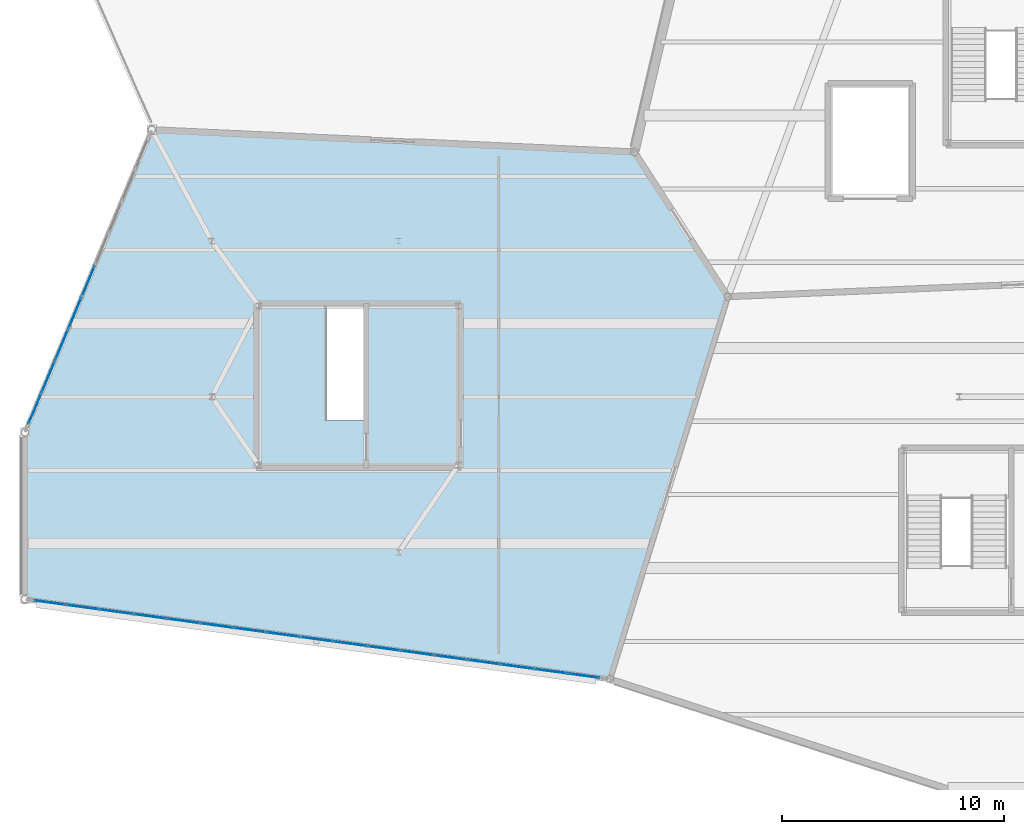
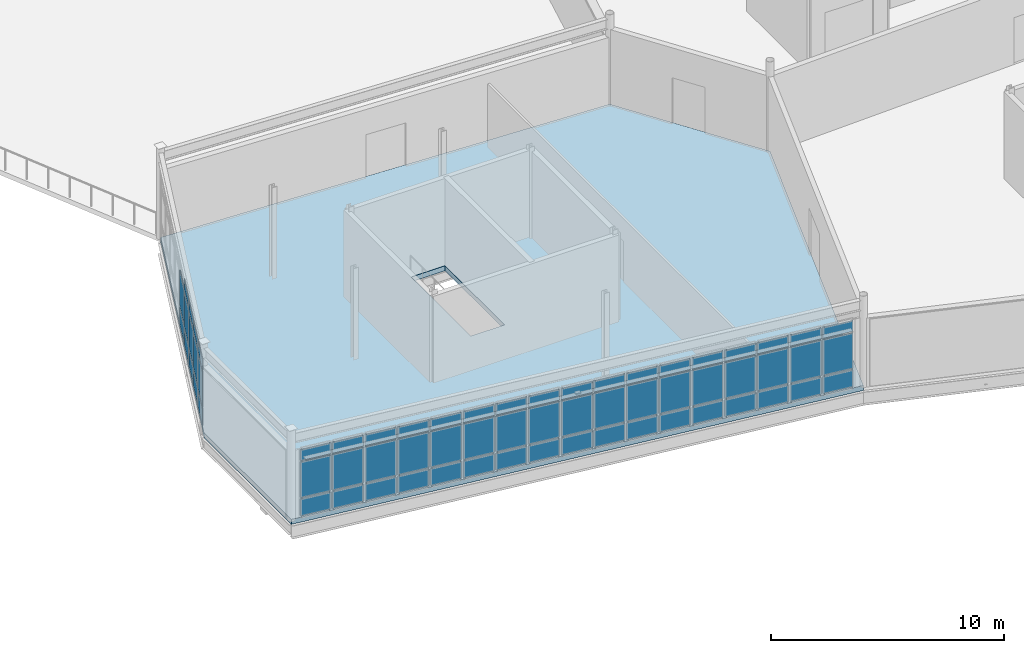
# One storey, part 76 of 114: 65 plates, 1 slab, 2 elements without a shape of their own.
"""IFC4 building model written with IfcOpenShell, lengths in metres."""

import ifcopenshell
import ifcopenshell.guid

model = None  # the IFC model being written
_history = None  # IfcOwnerHistory: only IFC2X3 demands one
_inside = {}  # id of a spatial element -> (the spatial element, [elements in it])
_under = {}  # id of a project, library or spatial element -> (it, [spatial elements below it])
_declared = {}  # id of a project -> (the project, [libraries it declares])
_typed = {}  # id of a type object -> (the type object, [elements of that type])
_made_of = {}  # id of a material, layer set ... -> (it, [elements and type objects made of it])


def new_model(schema):
    """Start an empty IFC model of exactly this schema.

    Asked for "IFC4X3", IfcOpenShell would pick the latest addendum, in which some entities
    have other attributes; the version numbers below select the first issue.
    IFC2X3 requires an IfcOwnerHistory on every rooted entity: one is made here for all.
    """
    global model, _history
    if schema == "IFC4X3":
        model = ifcopenshell.file(schema_version=(4, 3, 0, 0))
    else:
        model = ifcopenshell.file(schema=schema)
    _inside.clear()
    _under.clear()
    _declared.clear()
    _typed.clear()
    _made_of.clear()
    _history = None
    if model.schema == "IFC2X3":
        org = make("IfcOrganization", Name="unknown")
        user = make(
            "IfcPersonAndOrganization",
            ThePerson=make("IfcPerson", FamilyName="unknown"),
            TheOrganization=org,
        )
        app = make(
            "IfcApplication",
            ApplicationDeveloper=org,
            Version="unknown",
            ApplicationFullName="unknown",
            ApplicationIdentifier="unknown",
        )
        _history = make(
            "IfcOwnerHistory",
            OwningUser=user,
            OwningApplication=app,
            ChangeAction="ADDED",
            CreationDate=0,
        )
    return model


def make(cls, **values):
    """One entity of the class cls with the attributes given. An attribute that is None is left unset."""
    return model.create_entity(
        cls, **{name: value for name, value in values.items() if value is not None}
    )


def rooted(cls, **values):
    """An entity with a GlobalId (a new one), such as an element, a storey or a relation."""
    return make(cls, GlobalId=ifcopenshell.guid.new(), OwnerHistory=_history, **values)


def si_unit(unit_type, name, prefix=None):
    """IfcSIUnit, for example si_unit("LENGTHUNIT", "METRE", prefix="MILLI")."""
    return make("IfcSIUnit", UnitType=unit_type, Prefix=prefix, Name=name)


def assignment(units):
    """IfcUnitAssignment: the units of a project."""
    return None if units is None else make("IfcUnitAssignment", Units=units)


def point(xyz):
    """IfcCartesianPoint."""
    return None if xyz is None else make("IfcCartesianPoint", Coordinates=xyz)


def direction(xyz):
    """IfcDirection."""
    return None if xyz is None else make("IfcDirection", DirectionRatios=xyz)


def frame(location, z_axis=None, x_axis=None):
    """IfcAxis2Placement3D, a coordinate frame: its origin and axes. An axis left out is left unset."""
    return make(
        "IfcAxis2Placement3D",
        Location=point(location),
        Axis=direction(z_axis),
        RefDirection=direction(x_axis),
    )


def frame_2d(location, x_axis=None):
    """IfcAxis2Placement2D, a coordinate frame in the plane: its origin and x axis."""
    return make(
        "IfcAxis2Placement2D", Location=point(location), RefDirection=direction(x_axis)
    )


def origin():
    """The frame at (0, 0, 0) with its axes left unset."""
    return frame((0.0, 0.0, 0.0))


def origin_2d():
    """The frame at (0, 0) in the plane with its x axis left unset."""
    return frame_2d((0.0, 0.0))


def place(relative_to, where):
    """IfcLocalPlacement: puts the frame where relative to a parent placement (None: the world)."""
    return make(
        "IfcLocalPlacement", PlacementRelTo=relative_to, RelativePlacement=where
    )


def context(
    kind, dimensions, precision=None, world=None, true_north=None, identifier=None
):
    """IfcGeometricRepresentationContext, for example the 3D "Model" context."""
    return make(
        "IfcGeometricRepresentationContext",
        ContextIdentifier=identifier,
        ContextType=kind,
        CoordinateSpaceDimension=dimensions,
        Precision=precision,
        WorldCoordinateSystem=world,
        TrueNorth=true_north,
    )


def subcontext(parent, identifier, kind, view, scale=None):
    """IfcGeometricRepresentationSubContext, for example "Body" below "Model"."""
    return make(
        "IfcGeometricRepresentationSubContext",
        ContextIdentifier=identifier,
        ContextType=kind,
        ParentContext=parent,
        TargetScale=scale,
        TargetView=view,
    )


def project(units=None, contexts=None):
    """IfcProject with its units and contexts."""
    return rooted(
        "IfcProject",
        Name="project",
        RepresentationContexts=contexts,
        UnitsInContext=assignment(units),
    )


def spatial(cls, under=None, at=None, **own):
    """A site, building, storey or space (cls), placed at a placement, below another one or the project."""
    s = rooted(cls, ObjectPlacement=at, **own)
    if under is not None:
        _under.setdefault(under.id(), (under, []))[1].append(s)
    return s


def polyline(points):
    """IfcPolyline through the points."""
    return make("IfcPolyline", Points=[point(p) for p in points])


def profile(cls, at=None, kind="AREA", **sizes):
    """A parametric profile (cls). Its sizes go by their IFC names, for example OverallWidth=200.0."""
    return make(cls, ProfileType=kind, Position=at, **sizes)


def rectangle(**sizes):
    """IfcRectangleProfileDef."""
    return profile("IfcRectangleProfileDef", **sizes)


def outline(outer, holes=None, kind="AREA"):
    """IfcArbitraryClosedProfileDef: a profile drawn as a closed curve; with holes, ...WithVoids."""
    if holes is None:
        return make("IfcArbitraryClosedProfileDef", ProfileType=kind, OuterCurve=outer)
    return make(
        "IfcArbitraryProfileDefWithVoids",
        ProfileType=kind,
        OuterCurve=outer,
        InnerCurves=holes,
    )


def extrude(swept, where, along, depth):
    """IfcExtrudedAreaSolid: the profile swept, set in the frame where, extruded along a direction by depth."""
    return make(
        "IfcExtrudedAreaSolid",
        SweptArea=swept,
        Position=where,
        ExtrudedDirection=direction(along),
        Depth=depth,
    )


def shape(context_of_items, identifier, shape_type, items):
    """IfcShapeRepresentation: the items that make up one representation, for example the "Body"."""
    return make(
        "IfcShapeRepresentation",
        ContextOfItems=context_of_items,
        RepresentationIdentifier=identifier,
        RepresentationType=shape_type,
        Items=items,
    )


def material(Name=None, Category=None):
    """IfcMaterial."""
    return make("IfcMaterial", Name=Name, Category=Category)


def layer(
    of_material, thickness, ventilated=None, Name=None, Category=None, Priority=None
):
    """IfcMaterialLayer: one layer of a wall or slab, of a material (None: an air gap)."""
    return make(
        "IfcMaterialLayer",
        Material=of_material,
        LayerThickness=thickness,
        IsVentilated=ventilated,
        Name=Name,
        Category=Category,
        Priority=Priority,
    )


def layer_set(layers, Name=None):
    """IfcMaterialLayerSet."""
    return make("IfcMaterialLayerSet", MaterialLayers=layers, LayerSetName=Name)


def made_of(thing, what):
    """Note that an element or type object is made of a material, layer set ...; save() writes the relation."""
    if what is not None:
        _made_of.setdefault(what.id(), (what, []))[1].append(thing)
    return thing


def type_object(cls, material=None, **own):
    """A type object (cls), such as IfcWallType, which elements share."""
    return made_of(rooted(cls, **own), material)


def element(
    cls,
    number,
    at=None,
    inside=None,
    cuts=None,
    type_object=None,
    material=None,
    context=None,
    identifier="Body",
    shape_type=None,
    held_by="IfcProductDefinitionShape",
    body=None,
    shapes=None,
    **own,
):
    """One element of the class cls, such as IfcWall. Its Tag is "e" and its number.

    at: its placement. inside: the storey or other place that contains it. cuts: it is an
    opening in that element (IfcRelVoidsElement). A single representation is given by context,
    identifier, shape_type and body (its items); several are given by shapes. held_by: the class
    of the entity that holds the representations. save() writes the other relations.
    """
    e = rooted(cls, Tag="e%d" % number, ObjectPlacement=at, **own)
    if body is not None:
        shapes = [shape(context, identifier, shape_type, body)]
    if shapes is not None:
        e.Representation = make(held_by, Representations=shapes)
    if inside is not None:
        _inside.setdefault(inside.id(), (inside, []))[1].append(e)
    if cuts is not None:
        rooted(
            "IfcRelVoidsElement", RelatingBuildingElement=cuts, RelatedOpeningElement=e
        )
    if type_object is not None:
        _typed.setdefault(type_object.id(), (type_object, []))[1].append(e)
    return made_of(e, material)


def aggregate(whole, parts):
    """IfcRelAggregates: a whole, such as a stair, and the parts it consists of."""
    return rooted("IfcRelAggregates", RelatingObject=whole, RelatedObjects=parts)


def save(model, path):
    """Write the relations noted so far, then the file.

    IfcRelAggregates (storeys below a building ...), IfcRelContainedInSpatialStructure (elements
    in a storey), IfcRelDefinesByType, IfcRelAssociatesMaterial and IfcRelDeclares: one each for
    every whole, place, type object, material and project.
    """
    for whole, parts in _under.values():
        aggregate(whole, parts)
    for where, things in _inside.values():
        rooted(
            "IfcRelContainedInSpatialStructure",
            RelatedElements=things,
            RelatingStructure=where,
        )
    for kind, things in _typed.values():
        rooted("IfcRelDefinesByType", RelatedObjects=things, RelatingType=kind)
    for what, things in _made_of.values():
        rooted("IfcRelAssociatesMaterial", RelatedObjects=things, RelatingMaterial=what)
    for by, libraries in _declared.values():
        rooted("IfcRelDeclares", RelatingContext=by, RelatedDefinitions=libraries)
    model.write(path)


model = new_model("IFC4")

# Units and contexts
model_context = context("Model", 3, precision=1e-05, world=origin(), true_north=direction((0.0, 1.0)))
body_context = subcontext(model_context, "Body", "Model", "MODEL_VIEW")
ifc_project = project(units=[si_unit("LENGTHUNIT", "METRE"), si_unit("AREAUNIT", "SQUARE_METRE"), si_unit("VOLUMEUNIT", "CUBIC_METRE"), si_unit("PLANEANGLEUNIT", "RADIAN"), si_unit("MASSUNIT", "GRAM", prefix="KILO")], contexts=[model_context])

# Site, building, storey
site_placement = place(None, origin())
site = spatial("IfcSite", under=ifc_project, at=site_placement, CompositionType="ELEMENT")
building_placement = place(site_placement, origin())
building = spatial("IfcBuilding", under=site, at=building_placement, Name="Tameran Prism Museum", CompositionType="ELEMENT")
storey_placement = place(building_placement, frame((0.0, 0.0, 10.199951171875)))
storey = spatial("IfcBuildingStorey", under=building, at=storey_placement, Name="L02", CompositionType="ELEMENT", Elevation=10.199951171875)

# Curtain wall, plates
ifc_material_1 = material(Name="Anodised Aluminium 6063-T6 and Cyclone Solar Glass", Category="aluminium")
curtain_wall_type_1 = type_object("IfcCurtainWallType", Name="CW-FAC-1405x362", PredefinedType="USERDEFINED", material=ifc_material_1)
curtain_wall_1_placement = place(storey_placement, origin())
curtain_wall_1 = element("IfcCurtainWall", 1, at=curtain_wall_1_placement, inside=storey, type_object=curtain_wall_type_1, Name="Unitised Curtain Wall CW-126", ObjectType="UNITISED CURTAIN WALL", PredefinedType="USERDEFINED")
ifc_material_2 = material(Name="Cyclone Laminated Solar Glass", Category="glass")
ifc_layer_1 = layer(ifc_material_2, 0.031982421875)
ifc_layer_set_1 = layer_set([ifc_layer_1])
plate_type_1 = type_object("IfcPlateType", Name="CW-PNL-G32", PredefinedType="CURTAIN_PANEL", material=ifc_layer_set_1)
plate_1_placement = place(storey_placement, frame((0.4443359375, 76.461181640625, 0.080078125), z_axis=(0.0, 0.0, 1.0), x_axis=(0.386586046891, 0.922253342824, 0.0)))
plate_1 = element("IfcPlate", 2, at=plate_1_placement, type_object=plate_type_1, Name="CW-126 panel 1.1", PredefinedType="CURTAIN_PANEL", context=body_context, shape_type="SweptSolid", body=[
    extrude(rectangle(XDim=1.440673828125, YDim=0.031982421875, at=origin_2d()), origin(), (0.0, 0.0, 1.0), 0.8798828125),
])
plate_2_placement = place(storey_placement, frame((0.4443359375, 76.461181640625, 1.0400390625), z_axis=(0.0, 0.0, 1.0), x_axis=(0.386586046891, 0.922253342824, 0.0)))
plate_2 = element("IfcPlate", 3, at=plate_2_placement, type_object=plate_type_1, Name="CW-126 panel 1.2", PredefinedType="CURTAIN_PANEL", context=body_context, shape_type="SweptSolid", body=[
    extrude(rectangle(XDim=1.440673828125, YDim=0.031982421875, at=origin_2d()), origin(), (0.0, 0.0, 1.0), 1.860107421875),
])
plate_3_placement = place(storey_placement, frame((0.4443359375, 76.461181640625, 2.97998046875), z_axis=(0.0, 0.0, 1.0), x_axis=(0.386586046891, 0.922253342824, 0.0)))
plate_3 = element("IfcPlate", 4, at=plate_3_placement, type_object=plate_type_1, Name="CW-126 panel 1.3", PredefinedType="CURTAIN_PANEL", context=body_context, shape_type="SweptSolid", body=[
    extrude(rectangle(XDim=1.440673828125, YDim=0.031982421875, at=origin_2d()), origin(), (0.0, 0.0, 1.0), 0.56005859375),
])
plate_4_placement = place(storey_placement, frame((1.0400390625, 77.882080078125, 0.080078125), z_axis=(0.0, 0.0, 1.0), x_axis=(0.386586046891, 0.922253342824, 0.0)))
plate_4 = element("IfcPlate", 5, at=plate_4_placement, type_object=plate_type_1, Name="CW-126 panel 2.1", PredefinedType="CURTAIN_PANEL", context=body_context, shape_type="SweptSolid", body=[
    extrude(rectangle(XDim=1.480712890625, YDim=0.031982421875, at=origin_2d()), origin(), (0.0, 0.0, 1.0), 0.8798828125),
])
plate_5_placement = place(storey_placement, frame((1.0400390625, 77.882080078125, 1.0400390625), z_axis=(0.0, 0.0, 1.0), x_axis=(0.386586046891, 0.922253342824, 0.0)))
plate_5 = element("IfcPlate", 6, at=plate_5_placement, type_object=plate_type_1, Name="CW-126 panel 2.2", PredefinedType="CURTAIN_PANEL", context=body_context, shape_type="SweptSolid", body=[
    extrude(rectangle(XDim=1.480712890625, YDim=0.031982421875, at=origin_2d()), origin(), (0.0, 0.0, 1.0), 1.860107421875),
])
plate_6_placement = place(storey_placement, frame((1.0400390625, 77.882080078125, 2.97998046875), z_axis=(0.0, 0.0, 1.0), x_axis=(0.386586046891, 0.922253342824, 0.0)))
plate_6 = element("IfcPlate", 7, at=plate_6_placement, type_object=plate_type_1, Name="CW-126 panel 2.3", PredefinedType="CURTAIN_PANEL", context=body_context, shape_type="SweptSolid", body=[
    extrude(rectangle(XDim=1.480712890625, YDim=0.031982421875, at=origin_2d()), origin(), (0.0, 0.0, 1.0), 0.56005859375),
])
plate_7_placement = place(storey_placement, frame((1.643310546875, 79.3212890625, 0.080078125), z_axis=(0.0, 0.0, 1.0), x_axis=(0.386586046891, 0.922253342824, 0.0)))
plate_7 = element("IfcPlate", 8, at=plate_7_placement, type_object=plate_type_1, Name="CW-126 panel 3.1", PredefinedType="CURTAIN_PANEL", context=body_context, shape_type="SweptSolid", body=[
    extrude(rectangle(XDim=1.480712890625, YDim=0.031982421875, at=origin_2d()), origin(), (0.0, 0.0, 1.0), 0.8798828125),
])
plate_8_placement = place(storey_placement, frame((1.643310546875, 79.3212890625, 1.0400390625), z_axis=(0.0, 0.0, 1.0), x_axis=(0.386586046891, 0.922253342824, 0.0)))
plate_8 = element("IfcPlate", 9, at=plate_8_placement, type_object=plate_type_1, Name="CW-126 panel 3.2", PredefinedType="CURTAIN_PANEL", context=body_context, shape_type="SweptSolid", body=[
    extrude(rectangle(XDim=1.480712890625, YDim=0.031982421875, at=origin_2d()), origin(), (0.0, 0.0, 1.0), 1.860107421875),
])
plate_9_placement = place(storey_placement, frame((1.643310546875, 79.3212890625, 2.97998046875), z_axis=(0.0, 0.0, 1.0), x_axis=(0.386586046891, 0.922253342824, 0.0)))
plate_9 = element("IfcPlate", 10, at=plate_9_placement, type_object=plate_type_1, Name="CW-126 panel 3.3", PredefinedType="CURTAIN_PANEL", context=body_context, shape_type="SweptSolid", body=[
    extrude(rectangle(XDim=1.480712890625, YDim=0.031982421875, at=origin_2d()), origin(), (0.0, 0.0, 1.0), 0.56005859375),
])
plate_10_placement = place(storey_placement, frame((2.24658203125, 80.7607421875, 0.080078125), z_axis=(0.0, 0.0, 1.0), x_axis=(0.386586046891, 0.922253342824, 0.0)))
plate_10 = element("IfcPlate", 11, at=plate_10_placement, type_object=plate_type_1, Name="CW-126 panel 4.1", PredefinedType="CURTAIN_PANEL", context=body_context, shape_type="SweptSolid", body=[
    extrude(rectangle(XDim=1.480712890625, YDim=0.031982421875, at=origin_2d()), origin(), (0.0, 0.0, 1.0), 0.8798828125),
])
plate_11_placement = place(storey_placement, frame((2.24658203125, 80.7607421875, 1.0400390625), z_axis=(0.0, 0.0, 1.0), x_axis=(0.386586046891, 0.922253342824, 0.0)))
plate_11 = element("IfcPlate", 12, at=plate_11_placement, type_object=plate_type_1, Name="CW-126 panel 4.2", PredefinedType="CURTAIN_PANEL", context=body_context, shape_type="SweptSolid", body=[
    extrude(rectangle(XDim=1.480712890625, YDim=0.031982421875, at=origin_2d()), origin(), (0.0, 0.0, 1.0), 1.860107421875),
])
plate_12_placement = place(storey_placement, frame((2.24658203125, 80.7607421875, 2.97998046875), z_axis=(0.0, 0.0, 1.0), x_axis=(0.386586046891, 0.922253342824, 0.0)))
plate_12 = element("IfcPlate", 13, at=plate_12_placement, type_object=plate_type_1, Name="CW-126 panel 4.3", PredefinedType="CURTAIN_PANEL", context=body_context, shape_type="SweptSolid", body=[
    extrude(rectangle(XDim=1.480712890625, YDim=0.031982421875, at=origin_2d()), origin(), (0.0, 0.0, 1.0), 0.56005859375),
])
plate_13_placement = place(storey_placement, frame((2.85009765625, 82.199951171875, 0.080078125), z_axis=(0.0, 0.0, 1.0), x_axis=(0.386586046891, 0.922253342824, 0.0)))
plate_13 = element("IfcPlate", 14, at=plate_13_placement, type_object=plate_type_1, Name="CW-126 panel 5.1", PredefinedType="CURTAIN_PANEL", context=body_context, shape_type="SweptSolid", body=[
    extrude(rectangle(XDim=1.480712890625, YDim=0.031982421875, at=origin_2d()), origin(), (0.0, 0.0, 1.0), 0.8798828125),
])
plate_14_placement = place(storey_placement, frame((2.85009765625, 82.199951171875, 1.0400390625), z_axis=(0.0, 0.0, 1.0), x_axis=(0.386586046891, 0.922253342824, 0.0)))
plate_14 = element("IfcPlate", 15, at=plate_14_placement, type_object=plate_type_1, Name="CW-126 panel 5.2", PredefinedType="CURTAIN_PANEL", context=body_context, shape_type="SweptSolid", body=[
    extrude(rectangle(XDim=1.480712890625, YDim=0.031982421875, at=origin_2d()), origin(), (0.0, 0.0, 1.0), 1.860107421875),
])
aggregate(curtain_wall_1, [plate_1, plate_2, plate_3, plate_4, plate_5, plate_6, plate_7, plate_8, plate_9, plate_10, plate_11, plate_12, plate_13, plate_14])

ifc_material_3 = material(Name="Anodised Aluminium 6063-T6 and Cyclone Solar Glass", Category="aluminium")
curtain_wall_type_2 = type_object("IfcCurtainWallType", Name="CW-FAC-2579x362", PredefinedType="USERDEFINED", material=ifc_material_3)
curtain_wall_2_placement = place(storey_placement, origin())
curtain_wall_2 = element("IfcCurtainWall", 16, at=curtain_wall_2_placement, inside=storey, type_object=curtain_wall_type_2, Name="Unitised Curtain Wall CW-125", ObjectType="UNITISED CURTAIN WALL", PredefinedType="USERDEFINED")
ifc_material_4 = material(Name="Insulated Aluminium Spandrel Panel", Category="aluminium")
ifc_layer_2 = layer(ifc_material_4, 0.0400390625)
ifc_layer_set_2 = layer_set([ifc_layer_2])
plate_type_2 = type_object("IfcPlateType", Name="CW-PNL-S40", PredefinedType="CURTAIN_PANEL", material=ifc_layer_set_2)
plate_15_placement = place(storey_placement, frame((25.1240234375, 64.46044921875, 0.0751953125), z_axis=(0.0, 0.0, 1.0), x_axis=(-0.990755679961, 0.135658330466, 0.0)))
plate_15 = element("IfcPlate", 17, at=plate_15_placement, type_object=plate_type_2, Name="CW-125 panel 1.1", PredefinedType="CURTAIN_PANEL", context=body_context, shape_type="SweptSolid", body=[
    extrude(rectangle(XDim=1.404296875, YDim=0.0400390625, at=origin_2d()), origin(), (0.0, 0.0, 1.0), 0.887451171875),
])
plate_16_placement = place(storey_placement, frame((25.1240234375, 64.46044921875, 1.03759765625), z_axis=(0.0, 0.0, 1.0), x_axis=(-0.990755679961, 0.135658330466, 0.0)))
plate_16 = element("IfcPlate", 18, at=plate_16_placement, type_object=plate_type_2, Name="CW-125 panel 1.2", PredefinedType="CURTAIN_PANEL", context=body_context, shape_type="SweptSolid", body=[
    extrude(rectangle(XDim=1.404296875, YDim=0.0400390625, at=origin_2d()), origin(), (0.0, 0.0, 1.0), 1.864990234375),
])
plate_17_placement = place(storey_placement, frame((25.1240234375, 64.46044921875, 2.9775390625), z_axis=(0.0, 0.0, 1.0), x_axis=(-0.990755679961, 0.135658330466, 0.0)))
plate_17 = element("IfcPlate", 19, at=plate_17_placement, type_object=plate_type_2, Name="CW-125 panel 1.3", PredefinedType="CURTAIN_PANEL", context=body_context, shape_type="SweptSolid", body=[
    extrude(rectangle(XDim=1.404296875, YDim=0.0400390625, at=origin_2d()), origin(), (0.0, 0.0, 1.0), 0.5673828125),
])
plate_18_placement = place(storey_placement, frame((23.639892578125, 64.66357421875, 0.0751953125), z_axis=(0.0, 0.0, 1.0), x_axis=(-0.990755679961, 0.135658330466, 0.0)))
plate_18 = element("IfcPlate", 20, at=plate_18_placement, type_object=plate_type_2, Name="CW-125 panel 2.1", PredefinedType="CURTAIN_PANEL", context=body_context, shape_type="SweptSolid", body=[
    extrude(rectangle(XDim=1.44189453125, YDim=0.0400390625, at=origin_2d()), origin(), (0.0, 0.0, 1.0), 0.887451171875),
])
plate_19_placement = place(storey_placement, frame((23.639892578125, 64.66357421875, 1.03759765625), z_axis=(0.0, 0.0, 1.0), x_axis=(-0.990755679961, 0.135658330466, 0.0)))
plate_19 = element("IfcPlate", 21, at=plate_19_placement, type_object=plate_type_2, Name="CW-125 panel 2.2", PredefinedType="CURTAIN_PANEL", context=body_context, shape_type="SweptSolid", body=[
    extrude(rectangle(XDim=1.44189453125, YDim=0.0400390625, at=origin_2d()), origin(), (0.0, 0.0, 1.0), 1.864990234375),
])
plate_20_placement = place(storey_placement, frame((23.639892578125, 64.66357421875, 2.9775390625), z_axis=(0.0, 0.0, 1.0), x_axis=(-0.990755679961, 0.135658330466, 0.0)))
plate_20 = element("IfcPlate", 22, at=plate_20_placement, type_object=plate_type_2, Name="CW-125 panel 2.3", PredefinedType="CURTAIN_PANEL", context=body_context, shape_type="SweptSolid", body=[
    extrude(rectangle(XDim=1.44189453125, YDim=0.0400390625, at=origin_2d()), origin(), (0.0, 0.0, 1.0), 0.5673828125),
])
plate_21_placement = place(storey_placement, frame((22.13720703125, 64.869384765625, 0.0751953125), z_axis=(0.0, 0.0, 1.0), x_axis=(-0.990755679961, 0.135658330466, 0.0)))
plate_21 = element("IfcPlate", 23, at=plate_21_placement, type_object=plate_type_2, Name="CW-125 panel 3.1", PredefinedType="CURTAIN_PANEL", context=body_context, shape_type="SweptSolid", body=[
    extrude(rectangle(XDim=1.44189453125, YDim=0.0400390625, at=origin_2d()), origin(), (0.0, 0.0, 1.0), 0.887451171875),
])
plate_22_placement = place(storey_placement, frame((22.13720703125, 64.869384765625, 1.03759765625), z_axis=(0.0, 0.0, 1.0), x_axis=(-0.990755679961, 0.135658330466, 0.0)))
plate_22 = element("IfcPlate", 24, at=plate_22_placement, type_object=plate_type_2, Name="CW-125 panel 3.2", PredefinedType="CURTAIN_PANEL", context=body_context, shape_type="SweptSolid", body=[
    extrude(rectangle(XDim=1.44189453125, YDim=0.0400390625, at=origin_2d()), origin(), (0.0, 0.0, 1.0), 1.864990234375),
])
plate_23_placement = place(storey_placement, frame((22.13720703125, 64.869384765625, 2.9775390625), z_axis=(0.0, 0.0, 1.0), x_axis=(-0.990755679961, 0.135658330466, 0.0)))
plate_23 = element("IfcPlate", 25, at=plate_23_placement, type_object=plate_type_2, Name="CW-125 panel 3.3", PredefinedType="CURTAIN_PANEL", context=body_context, shape_type="SweptSolid", body=[
    extrude(rectangle(XDim=1.44189453125, YDim=0.0400390625, at=origin_2d()), origin(), (0.0, 0.0, 1.0), 0.5673828125),
])
plate_24_placement = place(storey_placement, frame((20.63427734375, 65.0751953125, 0.0751953125), z_axis=(0.0, 0.0, 1.0), x_axis=(-0.990755679961, 0.135658330466, 0.0)))
plate_24 = element("IfcPlate", 26, at=plate_24_placement, type_object=plate_type_2, Name="CW-125 panel 4.1", PredefinedType="CURTAIN_PANEL", context=body_context, shape_type="SweptSolid", body=[
    extrude(rectangle(XDim=1.44189453125, YDim=0.0400390625, at=origin_2d()), origin(), (0.0, 0.0, 1.0), 0.887451171875),
])
plate_25_placement = place(storey_placement, frame((20.63427734375, 65.0751953125, 1.03759765625), z_axis=(0.0, 0.0, 1.0), x_axis=(-0.990755679961, 0.135658330466, 0.0)))
plate_25 = element("IfcPlate", 27, at=plate_25_placement, type_object=plate_type_2, Name="CW-125 panel 4.2", PredefinedType="CURTAIN_PANEL", context=body_context, shape_type="SweptSolid", body=[
    extrude(rectangle(XDim=1.44189453125, YDim=0.0400390625, at=origin_2d()), origin(), (0.0, 0.0, 1.0), 1.864990234375),
])
plate_26_placement = place(storey_placement, frame((20.63427734375, 65.0751953125, 2.9775390625), z_axis=(0.0, 0.0, 1.0), x_axis=(-0.990755679961, 0.135658330466, 0.0)))
plate_26 = element("IfcPlate", 28, at=plate_26_placement, type_object=plate_type_2, Name="CW-125 panel 4.3", PredefinedType="CURTAIN_PANEL", context=body_context, shape_type="SweptSolid", body=[
    extrude(rectangle(XDim=1.44189453125, YDim=0.0400390625, at=origin_2d()), origin(), (0.0, 0.0, 1.0), 0.5673828125),
])
plate_27_placement = place(storey_placement, frame((19.131591796875, 65.281005859375, 0.0751953125), z_axis=(0.0, 0.0, 1.0), x_axis=(-0.990755679961, 0.135658330466, 0.0)))
plate_27 = element("IfcPlate", 29, at=plate_27_placement, type_object=plate_type_2, Name="CW-125 panel 5.1", PredefinedType="CURTAIN_PANEL", context=body_context, shape_type="SweptSolid", body=[
    extrude(rectangle(XDim=1.44189453125, YDim=0.0400390625, at=origin_2d()), origin(), (0.0, 0.0, 1.0), 0.887451171875),
])
plate_28_placement = place(storey_placement, frame((19.131591796875, 65.281005859375, 1.03759765625), z_axis=(0.0, 0.0, 1.0), x_axis=(-0.990755679961, 0.135658330466, 0.0)))
plate_28 = element("IfcPlate", 30, at=plate_28_placement, type_object=plate_type_2, Name="CW-125 panel 5.2", PredefinedType="CURTAIN_PANEL", context=body_context, shape_type="SweptSolid", body=[
    extrude(rectangle(XDim=1.44189453125, YDim=0.0400390625, at=origin_2d()), origin(), (0.0, 0.0, 1.0), 1.864990234375),
])
plate_29_placement = place(storey_placement, frame((19.131591796875, 65.281005859375, 2.9775390625), z_axis=(0.0, 0.0, 1.0), x_axis=(-0.990755679961, 0.135658330466, 0.0)))
plate_29 = element("IfcPlate", 31, at=plate_29_placement, type_object=plate_type_2, Name="CW-125 panel 5.3", PredefinedType="CURTAIN_PANEL", context=body_context, shape_type="SweptSolid", body=[
    extrude(rectangle(XDim=1.44189453125, YDim=0.0400390625, at=origin_2d()), origin(), (0.0, 0.0, 1.0), 0.5673828125),
])
plate_30_placement = place(storey_placement, frame((17.62890625, 65.48681640625, 0.0751953125), z_axis=(0.0, 0.0, 1.0), x_axis=(-0.990755679961, 0.135658330466, 0.0)))
plate_30 = element("IfcPlate", 32, at=plate_30_placement, type_object=plate_type_2, Name="CW-125 panel 6.1", PredefinedType="CURTAIN_PANEL", context=body_context, shape_type="SweptSolid", body=[
    extrude(rectangle(XDim=1.44189453125, YDim=0.0400390625, at=origin_2d()), origin(), (0.0, 0.0, 1.0), 0.887451171875),
])
plate_31_placement = place(storey_placement, frame((17.62890625, 65.48681640625, 1.03759765625), z_axis=(0.0, 0.0, 1.0), x_axis=(-0.990755679961, 0.135658330466, 0.0)))
plate_31 = element("IfcPlate", 33, at=plate_31_placement, type_object=plate_type_2, Name="CW-125 panel 6.2", PredefinedType="CURTAIN_PANEL", context=body_context, shape_type="SweptSolid", body=[
    extrude(rectangle(XDim=1.44189453125, YDim=0.0400390625, at=origin_2d()), origin(), (0.0, 0.0, 1.0), 1.864990234375),
])
plate_32_placement = place(storey_placement, frame((17.62890625, 65.48681640625, 2.9775390625), z_axis=(0.0, 0.0, 1.0), x_axis=(-0.990755679961, 0.135658330466, 0.0)))
plate_32 = element("IfcPlate", 34, at=plate_32_placement, type_object=plate_type_2, Name="CW-125 panel 6.3", PredefinedType="CURTAIN_PANEL", context=body_context, shape_type="SweptSolid", body=[
    extrude(rectangle(XDim=1.44189453125, YDim=0.0400390625, at=origin_2d()), origin(), (0.0, 0.0, 1.0), 0.5673828125),
])
plate_33_placement = place(storey_placement, frame((16.1259765625, 65.6923828125, 0.0751953125), z_axis=(0.0, 0.0, 1.0), x_axis=(-0.990755679961, 0.135658330466, 0.0)))
plate_33 = element("IfcPlate", 35, at=plate_33_placement, type_object=plate_type_2, Name="CW-125 panel 7.1", PredefinedType="CURTAIN_PANEL", context=body_context, shape_type="SweptSolid", body=[
    extrude(rectangle(XDim=1.44189453125, YDim=0.0400390625, at=origin_2d()), origin(), (0.0, 0.0, 1.0), 0.887451171875),
])
plate_34_placement = place(storey_placement, frame((16.1259765625, 65.6923828125, 1.03759765625), z_axis=(0.0, 0.0, 1.0), x_axis=(-0.990755679961, 0.135658330466, 0.0)))
plate_34 = element("IfcPlate", 36, at=plate_34_placement, type_object=plate_type_2, Name="CW-125 panel 7.2", PredefinedType="CURTAIN_PANEL", context=body_context, shape_type="SweptSolid", body=[
    extrude(rectangle(XDim=1.44189453125, YDim=0.0400390625, at=origin_2d()), origin(), (0.0, 0.0, 1.0), 1.864990234375),
])
plate_35_placement = place(storey_placement, frame((16.1259765625, 65.6923828125, 2.9775390625), z_axis=(0.0, 0.0, 1.0), x_axis=(-0.990755679961, 0.135658330466, 0.0)))
plate_35 = element("IfcPlate", 37, at=plate_35_placement, type_object=plate_type_2, Name="CW-125 panel 7.3", PredefinedType="CURTAIN_PANEL", context=body_context, shape_type="SweptSolid", body=[
    extrude(rectangle(XDim=1.44189453125, YDim=0.0400390625, at=origin_2d()), origin(), (0.0, 0.0, 1.0), 0.5673828125),
])
plate_36_placement = place(storey_placement, frame((14.623291015625, 65.898193359375, 0.0751953125), z_axis=(0.0, 0.0, 1.0), x_axis=(-0.990755679961, 0.135658330466, 0.0)))
plate_36 = element("IfcPlate", 38, at=plate_36_placement, type_object=plate_type_2, Name="CW-125 panel 8.1", PredefinedType="CURTAIN_PANEL", context=body_context, shape_type="SweptSolid", body=[
    extrude(rectangle(XDim=1.44189453125, YDim=0.0400390625, at=origin_2d()), origin(), (0.0, 0.0, 1.0), 0.887451171875),
])
plate_37_placement = place(storey_placement, frame((14.623291015625, 65.898193359375, 1.03759765625), z_axis=(0.0, 0.0, 1.0), x_axis=(-0.990755679961, 0.135658330466, 0.0)))
plate_37 = element("IfcPlate", 39, at=plate_37_placement, type_object=plate_type_2, Name="CW-125 panel 8.2", PredefinedType="CURTAIN_PANEL", context=body_context, shape_type="SweptSolid", body=[
    extrude(rectangle(XDim=1.44189453125, YDim=0.0400390625, at=origin_2d()), origin(), (0.0, 0.0, 1.0), 1.864990234375),
])
plate_38_placement = place(storey_placement, frame((14.623291015625, 65.898193359375, 2.9775390625), z_axis=(0.0, 0.0, 1.0), x_axis=(-0.990755679961, 0.135658330466, 0.0)))
plate_38 = element("IfcPlate", 40, at=plate_38_placement, type_object=plate_type_2, Name="CW-125 panel 8.3", PredefinedType="CURTAIN_PANEL", context=body_context, shape_type="SweptSolid", body=[
    extrude(rectangle(XDim=1.44189453125, YDim=0.0400390625, at=origin_2d()), origin(), (0.0, 0.0, 1.0), 0.5673828125),
])
plate_39_placement = place(storey_placement, frame((13.12060546875, 66.10400390625, 0.0751953125), z_axis=(0.0, 0.0, 1.0), x_axis=(-0.990755679961, 0.135658330466, 0.0)))
plate_39 = element("IfcPlate", 41, at=plate_39_placement, type_object=plate_type_2, Name="CW-125 panel 9.1", PredefinedType="CURTAIN_PANEL", context=body_context, shape_type="SweptSolid", body=[
    extrude(rectangle(XDim=1.44189453125, YDim=0.0400390625, at=origin_2d()), origin(), (0.0, 0.0, 1.0), 0.887451171875),
])
plate_40_placement = place(storey_placement, frame((13.12060546875, 66.10400390625, 1.03759765625), z_axis=(0.0, 0.0, 1.0), x_axis=(-0.990755679961, 0.135658330466, 0.0)))
plate_40 = element("IfcPlate", 42, at=plate_40_placement, type_object=plate_type_2, Name="CW-125 panel 9.2", PredefinedType="CURTAIN_PANEL", context=body_context, shape_type="SweptSolid", body=[
    extrude(rectangle(XDim=1.44189453125, YDim=0.0400390625, at=origin_2d()), origin(), (0.0, 0.0, 1.0), 1.864990234375),
])
plate_41_placement = place(storey_placement, frame((13.12060546875, 66.10400390625, 2.9775390625), z_axis=(0.0, 0.0, 1.0), x_axis=(-0.990755679961, 0.135658330466, 0.0)))
plate_41 = element("IfcPlate", 43, at=plate_41_placement, type_object=plate_type_2, Name="CW-125 panel 9.3", PredefinedType="CURTAIN_PANEL", context=body_context, shape_type="SweptSolid", body=[
    extrude(rectangle(XDim=1.44189453125, YDim=0.0400390625, at=origin_2d()), origin(), (0.0, 0.0, 1.0), 0.5673828125),
])
plate_42_placement = place(storey_placement, frame((11.61767578125, 66.309814453125, 0.0751953125), z_axis=(0.0, 0.0, 1.0), x_axis=(-0.990755679961, 0.135658330466, 0.0)))
plate_42 = element("IfcPlate", 44, at=plate_42_placement, type_object=plate_type_2, Name="CW-125 panel 10.1", PredefinedType="CURTAIN_PANEL", context=body_context, shape_type="SweptSolid", body=[
    extrude(rectangle(XDim=1.44189453125, YDim=0.0400390625, at=origin_2d()), origin(), (0.0, 0.0, 1.0), 0.887451171875),
])
plate_43_placement = place(storey_placement, frame((11.61767578125, 66.309814453125, 1.03759765625), z_axis=(0.0, 0.0, 1.0), x_axis=(-0.990755679961, 0.135658330466, 0.0)))
plate_43 = element("IfcPlate", 45, at=plate_43_placement, type_object=plate_type_2, Name="CW-125 panel 10.2", PredefinedType="CURTAIN_PANEL", context=body_context, shape_type="SweptSolid", body=[
    extrude(rectangle(XDim=1.44189453125, YDim=0.0400390625, at=origin_2d()), origin(), (0.0, 0.0, 1.0), 1.864990234375),
])
plate_44_placement = place(storey_placement, frame((11.61767578125, 66.309814453125, 2.9775390625), z_axis=(0.0, 0.0, 1.0), x_axis=(-0.990755679961, 0.135658330466, 0.0)))
plate_44 = element("IfcPlate", 46, at=plate_44_placement, type_object=plate_type_2, Name="CW-125 panel 10.3", PredefinedType="CURTAIN_PANEL", context=body_context, shape_type="SweptSolid", body=[
    extrude(rectangle(XDim=1.44189453125, YDim=0.0400390625, at=origin_2d()), origin(), (0.0, 0.0, 1.0), 0.5673828125),
])
plate_45_placement = place(storey_placement, frame((10.114990234375, 66.515625, 0.0751953125), z_axis=(0.0, 0.0, 1.0), x_axis=(-0.990755679961, 0.135658330466, 0.0)))
plate_45 = element("IfcPlate", 47, at=plate_45_placement, type_object=plate_type_2, Name="CW-125 panel 11.1", PredefinedType="CURTAIN_PANEL", context=body_context, shape_type="SweptSolid", body=[
    extrude(rectangle(XDim=1.44189453125, YDim=0.0400390625, at=origin_2d()), origin(), (0.0, 0.0, 1.0), 0.887451171875),
])
plate_46_placement = place(storey_placement, frame((10.114990234375, 66.515625, 1.03759765625), z_axis=(0.0, 0.0, 1.0), x_axis=(-0.990755679961, 0.135658330466, 0.0)))
plate_46 = element("IfcPlate", 48, at=plate_46_placement, type_object=plate_type_2, Name="CW-125 panel 11.2", PredefinedType="CURTAIN_PANEL", context=body_context, shape_type="SweptSolid", body=[
    extrude(rectangle(XDim=1.44189453125, YDim=0.0400390625, at=origin_2d()), origin(), (0.0, 0.0, 1.0), 1.864990234375),
])
plate_47_placement = place(storey_placement, frame((10.114990234375, 66.515625, 2.9775390625), z_axis=(0.0, 0.0, 1.0), x_axis=(-0.990755679961, 0.135658330466, 0.0)))
plate_47 = element("IfcPlate", 49, at=plate_47_placement, type_object=plate_type_2, Name="CW-125 panel 11.3", PredefinedType="CURTAIN_PANEL", context=body_context, shape_type="SweptSolid", body=[
    extrude(rectangle(XDim=1.44189453125, YDim=0.0400390625, at=origin_2d()), origin(), (0.0, 0.0, 1.0), 0.5673828125),
])
plate_48_placement = place(storey_placement, frame((8.6123046875, 66.72119140625, 0.0751953125), z_axis=(0.0, 0.0, 1.0), x_axis=(-0.990755679961, 0.135658330466, 0.0)))
plate_48 = element("IfcPlate", 50, at=plate_48_placement, type_object=plate_type_2, Name="CW-125 panel 12.1", PredefinedType="CURTAIN_PANEL", context=body_context, shape_type="SweptSolid", body=[
    extrude(rectangle(XDim=1.44189453125, YDim=0.0400390625, at=origin_2d()), origin(), (0.0, 0.0, 1.0), 0.887451171875),
])
plate_49_placement = place(storey_placement, frame((8.6123046875, 66.72119140625, 1.03759765625), z_axis=(0.0, 0.0, 1.0), x_axis=(-0.990755679961, 0.135658330466, 0.0)))
plate_49 = element("IfcPlate", 51, at=plate_49_placement, type_object=plate_type_2, Name="CW-125 panel 12.2", PredefinedType="CURTAIN_PANEL", context=body_context, shape_type="SweptSolid", body=[
    extrude(rectangle(XDim=1.44189453125, YDim=0.0400390625, at=origin_2d()), origin(), (0.0, 0.0, 1.0), 1.864990234375),
])
plate_50_placement = place(storey_placement, frame((8.6123046875, 66.72119140625, 2.9775390625), z_axis=(0.0, 0.0, 1.0), x_axis=(-0.990755679961, 0.135658330466, 0.0)))
plate_50 = element("IfcPlate", 52, at=plate_50_placement, type_object=plate_type_2, Name="CW-125 panel 12.3", PredefinedType="CURTAIN_PANEL", context=body_context, shape_type="SweptSolid", body=[
    extrude(rectangle(XDim=1.44189453125, YDim=0.0400390625, at=origin_2d()), origin(), (0.0, 0.0, 1.0), 0.5673828125),
])
plate_51_placement = place(storey_placement, frame((7.109375, 66.927001953125, 0.0751953125), z_axis=(0.0, 0.0, 1.0), x_axis=(-0.990755679961, 0.135658330466, 0.0)))
plate_51 = element("IfcPlate", 53, at=plate_51_placement, type_object=plate_type_2, Name="CW-125 panel 13.1", PredefinedType="CURTAIN_PANEL", context=body_context, shape_type="SweptSolid", body=[
    extrude(rectangle(XDim=1.44189453125, YDim=0.0400390625, at=origin_2d()), origin(), (0.0, 0.0, 1.0), 0.887451171875),
])
plate_52_placement = place(storey_placement, frame((7.109375, 66.927001953125, 1.03759765625), z_axis=(0.0, 0.0, 1.0), x_axis=(-0.990755679961, 0.135658330466, 0.0)))
plate_52 = element("IfcPlate", 54, at=plate_52_placement, type_object=plate_type_2, Name="CW-125 panel 13.2", PredefinedType="CURTAIN_PANEL", context=body_context, shape_type="SweptSolid", body=[
    extrude(rectangle(XDim=1.44189453125, YDim=0.0400390625, at=origin_2d()), origin(), (0.0, 0.0, 1.0), 1.864990234375),
])
plate_53_placement = place(storey_placement, frame((7.109375, 66.927001953125, 2.9775390625), z_axis=(0.0, 0.0, 1.0), x_axis=(-0.990755679961, 0.135658330466, 0.0)))
plate_53 = element("IfcPlate", 55, at=plate_53_placement, type_object=plate_type_2, Name="CW-125 panel 13.3", PredefinedType="CURTAIN_PANEL", context=body_context, shape_type="SweptSolid", body=[
    extrude(rectangle(XDim=1.44189453125, YDim=0.0400390625, at=origin_2d()), origin(), (0.0, 0.0, 1.0), 0.5673828125),
])
plate_54_placement = place(storey_placement, frame((5.606689453125, 67.1328125, 0.0751953125), z_axis=(0.0, 0.0, 1.0), x_axis=(-0.990755679961, 0.135658330466, 0.0)))
plate_54 = element("IfcPlate", 56, at=plate_54_placement, type_object=plate_type_2, Name="CW-125 panel 14.1", PredefinedType="CURTAIN_PANEL", context=body_context, shape_type="SweptSolid", body=[
    extrude(rectangle(XDim=1.44189453125, YDim=0.0400390625, at=origin_2d()), origin(), (0.0, 0.0, 1.0), 0.887451171875),
])
plate_55_placement = place(storey_placement, frame((5.606689453125, 67.1328125, 1.03759765625), z_axis=(0.0, 0.0, 1.0), x_axis=(-0.990755679961, 0.135658330466, 0.0)))
plate_55 = element("IfcPlate", 57, at=plate_55_placement, type_object=plate_type_2, Name="CW-125 panel 14.2", PredefinedType="CURTAIN_PANEL", context=body_context, shape_type="SweptSolid", body=[
    extrude(rectangle(XDim=1.44189453125, YDim=0.0400390625, at=origin_2d()), origin(), (0.0, 0.0, 1.0), 1.864990234375),
])
plate_56_placement = place(storey_placement, frame((5.606689453125, 67.1328125, 2.9775390625), z_axis=(0.0, 0.0, 1.0), x_axis=(-0.990755679961, 0.135658330466, 0.0)))
plate_56 = element("IfcPlate", 58, at=plate_56_placement, type_object=plate_type_2, Name="CW-125 panel 14.3", PredefinedType="CURTAIN_PANEL", context=body_context, shape_type="SweptSolid", body=[
    extrude(rectangle(XDim=1.44189453125, YDim=0.0400390625, at=origin_2d()), origin(), (0.0, 0.0, 1.0), 0.5673828125),
])
plate_57_placement = place(storey_placement, frame((4.10400390625, 67.338623046875, 0.0751953125), z_axis=(0.0, 0.0, 1.0), x_axis=(-0.990755679961, 0.135658330466, 0.0)))
plate_57 = element("IfcPlate", 59, at=plate_57_placement, type_object=plate_type_2, Name="CW-125 panel 15.1", PredefinedType="CURTAIN_PANEL", context=body_context, shape_type="SweptSolid", body=[
    extrude(rectangle(XDim=1.44189453125, YDim=0.0400390625, at=origin_2d()), origin(), (0.0, 0.0, 1.0), 0.887451171875),
])
plate_58_placement = place(storey_placement, frame((4.10400390625, 67.338623046875, 1.03759765625), z_axis=(0.0, 0.0, 1.0), x_axis=(-0.990755679961, 0.135658330466, 0.0)))
plate_58 = element("IfcPlate", 60, at=plate_58_placement, type_object=plate_type_2, Name="CW-125 panel 15.2", PredefinedType="CURTAIN_PANEL", context=body_context, shape_type="SweptSolid", body=[
    extrude(rectangle(XDim=1.44189453125, YDim=0.0400390625, at=origin_2d()), origin(), (0.0, 0.0, 1.0), 1.864990234375),
])
plate_59_placement = place(storey_placement, frame((4.10400390625, 67.338623046875, 2.9775390625), z_axis=(0.0, 0.0, 1.0), x_axis=(-0.990755679961, 0.135658330466, 0.0)))
plate_59 = element("IfcPlate", 61, at=plate_59_placement, type_object=plate_type_2, Name="CW-125 panel 15.3", PredefinedType="CURTAIN_PANEL", context=body_context, shape_type="SweptSolid", body=[
    extrude(rectangle(XDim=1.44189453125, YDim=0.0400390625, at=origin_2d()), origin(), (0.0, 0.0, 1.0), 0.5673828125),
])
plate_60_placement = place(storey_placement, frame((2.60107421875, 67.54443359375, 0.0751953125), z_axis=(0.0, 0.0, 1.0), x_axis=(-0.990755679961, 0.135658330466, 0.0)))
plate_60 = element("IfcPlate", 62, at=plate_60_placement, type_object=plate_type_2, Name="CW-125 panel 16.1", PredefinedType="CURTAIN_PANEL", context=body_context, shape_type="SweptSolid", body=[
    extrude(rectangle(XDim=1.44189453125, YDim=0.0400390625, at=origin_2d()), origin(), (0.0, 0.0, 1.0), 0.887451171875),
])
plate_61_placement = place(storey_placement, frame((2.60107421875, 67.54443359375, 1.03759765625), z_axis=(0.0, 0.0, 1.0), x_axis=(-0.990755679961, 0.135658330466, 0.0)))
plate_61 = element("IfcPlate", 63, at=plate_61_placement, type_object=plate_type_2, Name="CW-125 panel 16.2", PredefinedType="CURTAIN_PANEL", context=body_context, shape_type="SweptSolid", body=[
    extrude(rectangle(XDim=1.44189453125, YDim=0.0400390625, at=origin_2d()), origin(), (0.0, 0.0, 1.0), 1.864990234375),
])
plate_62_placement = place(storey_placement, frame((2.60107421875, 67.54443359375, 2.9775390625), z_axis=(0.0, 0.0, 1.0), x_axis=(-0.990755679961, 0.135658330466, 0.0)))
plate_62 = element("IfcPlate", 64, at=plate_62_placement, type_object=plate_type_2, Name="CW-125 panel 16.3", PredefinedType="CURTAIN_PANEL", context=body_context, shape_type="SweptSolid", body=[
    extrude(rectangle(XDim=1.44189453125, YDim=0.0400390625, at=origin_2d()), origin(), (0.0, 0.0, 1.0), 0.5673828125),
])
plate_63_placement = place(storey_placement, frame((1.116943359375, 67.74755859375, 0.0751953125), z_axis=(0.0, 0.0, 1.0), x_axis=(-0.990755679961, 0.135658330466, 0.0)))
plate_63 = element("IfcPlate", 65, at=plate_63_placement, type_object=plate_type_2, Name="CW-125 panel 17.1", PredefinedType="CURTAIN_PANEL", context=body_context, shape_type="SweptSolid", body=[
    extrude(rectangle(XDim=1.404296875, YDim=0.0400390625, at=origin_2d()), origin(), (0.0, 0.0, 1.0), 0.887451171875),
])
plate_64_placement = place(storey_placement, frame((1.116943359375, 67.74755859375, 1.03759765625), z_axis=(0.0, 0.0, 1.0), x_axis=(-0.990755679961, 0.135658330466, 0.0)))
plate_64 = element("IfcPlate", 66, at=plate_64_placement, type_object=plate_type_2, Name="CW-125 panel 17.2", PredefinedType="CURTAIN_PANEL", context=body_context, shape_type="SweptSolid", body=[
    extrude(rectangle(XDim=1.404296875, YDim=0.0400390625, at=origin_2d()), origin(), (0.0, 0.0, 1.0), 1.864990234375),
])
plate_65_placement = place(storey_placement, frame((1.116943359375, 67.74755859375, 2.9775390625), z_axis=(0.0, 0.0, 1.0), x_axis=(-0.990755679961, 0.135658330466, 0.0)))
plate_65 = element("IfcPlate", 67, at=plate_65_placement, type_object=plate_type_2, Name="CW-125 panel 17.3", PredefinedType="CURTAIN_PANEL", context=body_context, shape_type="SweptSolid", body=[
    extrude(rectangle(XDim=1.404296875, YDim=0.0400390625, at=origin_2d()), origin(), (0.0, 0.0, 1.0), 0.5673828125),
])
aggregate(curtain_wall_2, [plate_15, plate_16, plate_17, plate_18, plate_19, plate_20, plate_21, plate_22, plate_23, plate_24, plate_25, plate_26, plate_27, plate_28, plate_29, plate_30, plate_31, plate_32, plate_33, plate_34, plate_35, plate_36, plate_37, plate_38, plate_39, plate_40, plate_41, plate_42, plate_43, plate_44, plate_45, plate_46, plate_47, plate_48, plate_49, plate_50, plate_51, plate_52, plate_53, plate_54, plate_55, plate_56, plate_57, plate_58, plate_59, plate_60, plate_61, plate_62, plate_63, plate_64, plate_65])

# Slab
ifc_material_5 = material(Name="Concrete N40 (40 MPa)", Category="concrete")
ifc_layer_3 = layer(ifc_material_5, 0.260009765625)
ifc_layer_set_3 = layer_set([ifc_layer_3])
slab_type = type_object("IfcSlabType", Name="SL-FLR-260", PredefinedType="FLOOR", material=ifc_layer_set_3)
slab_placement = place(storey_placement, frame((0.0, 0.0, -0.260009765625)))
element("IfcSlab", 68, at=slab_placement, inside=storey, type_object=slab_type, Name="Floor Slab FS-P17-L02", PredefinedType="FLOOR", context=body_context, shape_type="SweptSolid", body=[
    extrude(outline(polyline([(5.699951171875, 89.0), (27.39990234375, 88.0), (31.60009765625, 81.5), (26.300048828125, 64.300048828125), (0.0, 67.89990234375), (0.0, 75.39990234375), (5.699951171875, 89.0)]), holes=[polyline([(15.219970703125, 81.050048828125), (13.550048828125, 81.050048828125), (13.550048828125, 75.93994140625), (15.219970703125, 75.93994140625), (15.219970703125, 81.050048828125)])]), origin(), (0.0, 0.0, 1.0), 0.260009765625),
])

save(model, "model.ifc")
